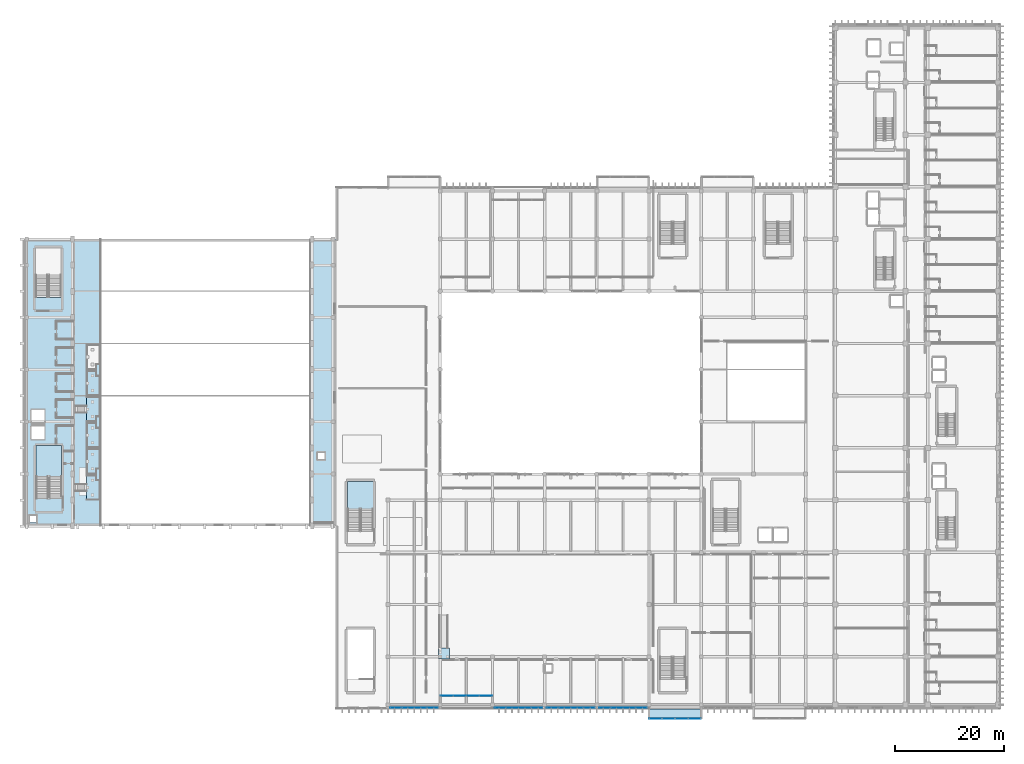
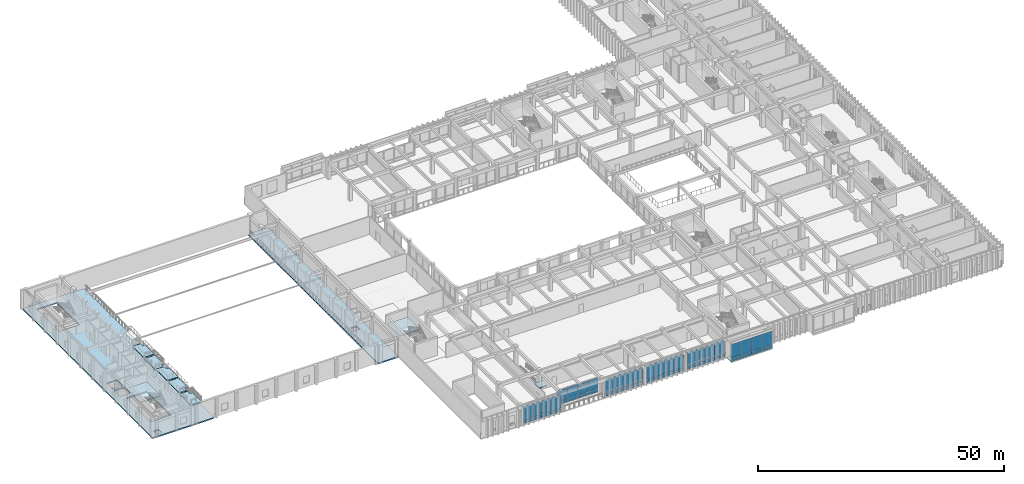
# One storey, part 88 of 133: 48 plates, 11 slabs, 9 elements without a shape of their own.
"""IFC4 building model written with IfcOpenShell, lengths in metres."""

from ifc_helpers import new_model, si_unit, direction, frame, origin, origin_2d, place, context, subcontext, project, spatial, polyline, rectangle, outline, extrude, material, layer, layer_set, type_object, element, aggregate, save


model = new_model("IFC4")

# Units and contexts
model_context = context("Model", 3, precision=1e-05, world=origin(), true_north=direction((0.0, 1.0)))
body_context = subcontext(model_context, "Body", "Model", "MODEL_VIEW")
ifc_project = project(units=[si_unit("LENGTHUNIT", "METRE"), si_unit("AREAUNIT", "SQUARE_METRE"), si_unit("VOLUMEUNIT", "CUBIC_METRE"), si_unit("PLANEANGLEUNIT", "RADIAN"), si_unit("MASSUNIT", "GRAM", prefix="KILO")], contexts=[model_context])

# Site, building, storey
site_placement = place(None, origin())
site = spatial("IfcSite", under=ifc_project, at=site_placement, CompositionType="ELEMENT")
building_placement = place(site_placement, origin())
building = spatial("IfcBuilding", under=site, at=building_placement, Name="Nakhvara Creek Congress Hotel", CompositionType="ELEMENT")
storey_placement = place(building_placement, frame((0.0, 0.0, 11.39990234375)))
storey = spatial("IfcBuildingStorey", under=building, at=storey_placement, Name="L02", CompositionType="ELEMENT", Elevation=11.39990234375)

# Curtain wall, plates
ifc_material_1 = material(Name="Bronze-anodised aluminium AW-6063-T6 and double-silver low-E glass", Category="aluminium")
ifc_layer_1 = layer(ifc_material_1, 0.219970703125)
ifc_layer_set_1 = layer_set([ifc_layer_1], Name="Bronze-anodised aluminium AW-6063-T6 and double-silver low-E glass")
curtain_wall_type_1 = type_object("IfcCurtainWallType", Name="CW-BOX-PROJ", PredefinedType="USERDEFINED", material=ifc_layer_set_1)
curtain_wall_1_placement = place(storey_placement, origin())
curtain_wall_1 = element("IfcCurtainWall", 1, at=curtain_wall_1_placement, inside=storey, type_object=curtain_wall_type_1, Name="Curtain Wall CW089", ObjectType="UNITISED", PredefinedType="USERDEFINED")
ifc_material_2 = material(Name="Double-silver solar-control low-E insulated glass", Category="glass")
plate_type = type_object("IfcPlateType", Name="PNL-GLZ-240X260", PredefinedType="CURTAIN_PANEL", material=ifc_material_2)
plate_1_placement = place(storey_placement, frame((123.580078125, -1.800048828125, 0.0751953125), z_axis=(0.0, 0.0, 1.0), x_axis=(-1.0, 0.0, 0.0)))
plate_1 = element("IfcPlate", 2, at=plate_1_placement, type_object=plate_type, Name="CW089 panel 1.1", PredefinedType="CURTAIN_PANEL", context=body_context, shape_type="SweptSolid", body=[
    extrude(rectangle(XDim=2.280029296875, YDim=0.030029296875, at=origin_2d()), origin(), (0.0, 0.0, 1.0), 0.737548828125),
])
plate_2_placement = place(storey_placement, frame((123.580078125, -1.800048828125, 0.8876953125), z_axis=(0.0, 0.0, 1.0), x_axis=(-1.0, 0.0, 0.0)))
plate_2 = element("IfcPlate", 3, at=plate_2_placement, type_object=plate_type, Name="CW089 panel 1.2", PredefinedType="CURTAIN_PANEL", context=body_context, shape_type="SweptSolid", body=[
    extrude(rectangle(XDim=2.280029296875, YDim=0.030029296875, at=origin_2d()), origin(), (0.0, 0.0, 1.0), 3.427490234375),
])
plate_3_placement = place(storey_placement, frame((121.199951171875, -1.800048828125, 0.0751953125), z_axis=(0.0, 0.0, 1.0), x_axis=(-1.0, 0.0, 0.0)))
plate_3 = element("IfcPlate", 4, at=plate_3_placement, type_object=plate_type, Name="CW089 panel 2.1", PredefinedType="CURTAIN_PANEL", context=body_context, shape_type="SweptSolid", body=[
    extrude(rectangle(XDim=2.320068359375, YDim=0.030029296875, at=origin_2d()), origin(), (0.0, 0.0, 1.0), 0.737548828125),
])
plate_4_placement = place(storey_placement, frame((121.199951171875, -1.800048828125, 0.8876953125), z_axis=(0.0, 0.0, 1.0), x_axis=(-1.0, 0.0, 0.0)))
plate_4 = element("IfcPlate", 5, at=plate_4_placement, type_object=plate_type, Name="CW089 panel 2.2", PredefinedType="CURTAIN_PANEL", context=body_context, shape_type="SweptSolid", body=[
    extrude(rectangle(XDim=2.320068359375, YDim=0.030029296875, at=origin_2d()), origin(), (0.0, 0.0, 1.0), 3.427490234375),
])
plate_5_placement = place(storey_placement, frame((118.800048828125, -1.800048828125, 0.0751953125), z_axis=(0.0, 0.0, 1.0), x_axis=(-1.0, 0.0, 0.0)))
plate_5 = element("IfcPlate", 6, at=plate_5_placement, type_object=plate_type, Name="CW089 panel 3.1", PredefinedType="CURTAIN_PANEL", context=body_context, shape_type="SweptSolid", body=[
    extrude(rectangle(XDim=2.320068359375, YDim=0.030029296875, at=origin_2d()), origin(), (0.0, 0.0, 1.0), 0.737548828125),
])
plate_6_placement = place(storey_placement, frame((118.800048828125, -1.800048828125, 0.8876953125), z_axis=(0.0, 0.0, 1.0), x_axis=(-1.0, 0.0, 0.0)))
plate_6 = element("IfcPlate", 7, at=plate_6_placement, type_object=plate_type, Name="CW089 panel 3.2", PredefinedType="CURTAIN_PANEL", context=body_context, shape_type="SweptSolid", body=[
    extrude(rectangle(XDim=2.320068359375, YDim=0.030029296875, at=origin_2d()), origin(), (0.0, 0.0, 1.0), 3.427490234375),
])
plate_7_placement = place(storey_placement, frame((116.419921875, -1.800048828125, 0.0751953125), z_axis=(0.0, 0.0, 1.0), x_axis=(-1.0, 0.0, 0.0)))
plate_7 = element("IfcPlate", 8, at=plate_7_placement, type_object=plate_type, Name="CW089 panel 4.1", PredefinedType="CURTAIN_PANEL", context=body_context, shape_type="SweptSolid", body=[
    extrude(rectangle(XDim=2.280029296875, YDim=0.030029296875, at=origin_2d()), origin(), (0.0, 0.0, 1.0), 0.737548828125),
])
plate_8_placement = place(storey_placement, frame((116.419921875, -1.800048828125, 0.8876953125), z_axis=(0.0, 0.0, 1.0), x_axis=(-1.0, 0.0, 0.0)))
plate_8 = element("IfcPlate", 9, at=plate_8_placement, type_object=plate_type, Name="CW089 panel 4.2", PredefinedType="CURTAIN_PANEL", context=body_context, shape_type="SweptSolid", body=[
    extrude(rectangle(XDim=2.280029296875, YDim=0.030029296875, at=origin_2d()), origin(), (0.0, 0.0, 1.0), 3.427490234375),
])
aggregate(curtain_wall_1, [plate_1, plate_2, plate_3, plate_4, plate_5, plate_6, plate_7, plate_8])

ifc_layer_2 = layer(ifc_material_1, 0.219970703125)
ifc_layer_set_2 = layer_set([ifc_layer_2], Name="Bronze-anodised aluminium AW-6063-T6 and double-silver low-E glass")
curtain_wall_type_2 = type_object("IfcCurtainWallType", Name="CW-BOX-REC", PredefinedType="USERDEFINED", material=ifc_layer_set_2)
curtain_wall_2_placement = place(storey_placement, origin())
curtain_wall_2 = element("IfcCurtainWall", 10, at=curtain_wall_2_placement, inside=storey, type_object=curtain_wall_type_2, Name="Curtain Wall CW091", ObjectType="UNITISED", PredefinedType="USERDEFINED")
plate_9_placement = place(storey_placement, frame((85.18115234375, 2.39990234375, 0.0751953125), z_axis=(0.0, 0.0, 1.0), x_axis=(-1.0, 0.0, 0.0)))
plate_9 = element("IfcPlate", 11, at=plate_9_placement, type_object=plate_type, Name="CW091 panel 1.1", PredefinedType="CURTAIN_PANEL", context=body_context, shape_type="SweptSolid", body=[
    extrude(rectangle(XDim=2.28759765625, YDim=0.030029296875, at=origin_2d()), origin(), (0.0, 0.0, 1.0), 0.737548828125),
])
plate_10_placement = place(storey_placement, frame((85.18115234375, 2.39990234375, 0.8876953125), z_axis=(0.0, 0.0, 1.0), x_axis=(-1.0, 0.0, 0.0)))
plate_10 = element("IfcPlate", 12, at=plate_10_placement, type_object=plate_type, Name="CW091 panel 1.2", PredefinedType="CURTAIN_PANEL", context=body_context, shape_type="SweptSolid", body=[
    extrude(rectangle(XDim=2.28759765625, YDim=0.030029296875, at=origin_2d()), origin(), (0.0, 0.0, 1.0), 2.7294921875),
])
plate_11_placement = place(storey_placement, frame((82.800048828125, 2.39990234375, 0.0751953125), z_axis=(0.0, 0.0, 1.0), x_axis=(-1.0, 0.0, 0.0)))
plate_11 = element("IfcPlate", 13, at=plate_11_placement, type_object=plate_type, Name="CW091 panel 2.1", PredefinedType="CURTAIN_PANEL", context=body_context, shape_type="SweptSolid", body=[
    extrude(rectangle(XDim=2.324951171875, YDim=0.030029296875, at=origin_2d()), origin(), (0.0, 0.0, 1.0), 0.737548828125),
])
plate_12_placement = place(storey_placement, frame((82.800048828125, 2.39990234375, 0.8876953125), z_axis=(0.0, 0.0, 1.0), x_axis=(-1.0, 0.0, 0.0)))
plate_12 = element("IfcPlate", 14, at=plate_12_placement, type_object=plate_type, Name="CW091 panel 2.2", PredefinedType="CURTAIN_PANEL", context=body_context, shape_type="SweptSolid", body=[
    extrude(rectangle(XDim=2.324951171875, YDim=0.030029296875, at=origin_2d()), origin(), (0.0, 0.0, 1.0), 2.7294921875),
])
plate_13_placement = place(storey_placement, frame((80.39990234375, 2.39990234375, 0.0751953125), z_axis=(0.0, 0.0, 1.0), x_axis=(-1.0, 0.0, 0.0)))
plate_13 = element("IfcPlate", 15, at=plate_13_placement, type_object=plate_type, Name="CW091 panel 3.1", PredefinedType="CURTAIN_PANEL", context=body_context, shape_type="SweptSolid", body=[
    extrude(rectangle(XDim=2.324951171875, YDim=0.030029296875, at=origin_2d()), origin(), (0.0, 0.0, 1.0), 0.737548828125),
])
plate_14_placement = place(storey_placement, frame((80.39990234375, 2.39990234375, 0.8876953125), z_axis=(0.0, 0.0, 1.0), x_axis=(-1.0, 0.0, 0.0)))
plate_14 = element("IfcPlate", 16, at=plate_14_placement, type_object=plate_type, Name="CW091 panel 3.2", PredefinedType="CURTAIN_PANEL", context=body_context, shape_type="SweptSolid", body=[
    extrude(rectangle(XDim=2.324951171875, YDim=0.030029296875, at=origin_2d()), origin(), (0.0, 0.0, 1.0), 2.7294921875),
])
plate_15_placement = place(storey_placement, frame((78.018798828125, 2.39990234375, 0.0751953125), z_axis=(0.0, 0.0, 1.0), x_axis=(-1.0, 0.0, 0.0)))
plate_15 = element("IfcPlate", 17, at=plate_15_placement, type_object=plate_type, Name="CW091 panel 4.1", PredefinedType="CURTAIN_PANEL", context=body_context, shape_type="SweptSolid", body=[
    extrude(rectangle(XDim=2.28759765625, YDim=0.030029296875, at=origin_2d()), origin(), (0.0, 0.0, 1.0), 0.737548828125),
])
plate_16_placement = place(storey_placement, frame((78.018798828125, 2.39990234375, 0.8876953125), z_axis=(0.0, 0.0, 1.0), x_axis=(-1.0, 0.0, 0.0)))
plate_16 = element("IfcPlate", 18, at=plate_16_placement, type_object=plate_type, Name="CW091 panel 4.2", PredefinedType="CURTAIN_PANEL", context=body_context, shape_type="SweptSolid", body=[
    extrude(rectangle(XDim=2.28759765625, YDim=0.030029296875, at=origin_2d()), origin(), (0.0, 0.0, 1.0), 2.7294921875),
])
aggregate(curtain_wall_2, [plate_9, plate_10, plate_11, plate_12, plate_13, plate_14, plate_15, plate_16])

ifc_layer_3 = layer(ifc_material_1, 0.199951171875)
ifc_layer_set_3 = layer_set([ifc_layer_3], Name="Bronze-anodised aluminium AW-6063-T6 and double-silver low-E glass")
curtain_wall_type_3 = type_object("IfcCurtainWallType", Name="CW-SPA-STICK", PredefinedType="NOTDEFINED", material=ifc_layer_set_3)
curtain_wall_3_placement = place(storey_placement, origin())
curtain_wall_3 = element("IfcCurtainWall", 19, at=curtain_wall_3_placement, inside=storey, type_object=curtain_wall_type_3, Name="Curtain Wall CW092", PredefinedType="NOTDEFINED")
plate_17_placement = place(storey_placement, frame((75.31005859375, 0.199951171875, 0.065185546875), z_axis=(0.0, 0.0, 1.0), x_axis=(-1.0, 0.0, 0.0)))
plate_17 = element("IfcPlate", 20, at=plate_17_placement, type_object=plate_type, Name="CW092 panel 1.1", PredefinedType="CURTAIN_PANEL", context=body_context, shape_type="SweptSolid", body=[
    extrude(rectangle(XDim=2.1201171875, YDim=0.030029296875, at=origin_2d()), origin(), (0.0, 0.0, 1.0), 0.75244140625),
])
plate_18_placement = place(storey_placement, frame((75.31005859375, 0.199951171875, 0.882568359375), z_axis=(0.0, 0.0, 1.0), x_axis=(-1.0, 0.0, 0.0)))
plate_18 = element("IfcPlate", 21, at=plate_18_placement, type_object=plate_type, Name="CW092 panel 1.2", PredefinedType="CURTAIN_PANEL", context=body_context, shape_type="SweptSolid", body=[
    extrude(rectangle(XDim=2.1201171875, YDim=0.030029296875, at=origin_2d()), origin(), (0.0, 0.0, 1.0), 3.4423828125),
])
plate_19_placement = place(storey_placement, frame((73.108642578125, 0.199951171875, 0.065185546875), z_axis=(0.0, 0.0, 1.0), x_axis=(-1.0, 0.0, 0.0)))
plate_19 = element("IfcPlate", 22, at=plate_19_placement, type_object=plate_type, Name="CW092 panel 2.1", PredefinedType="CURTAIN_PANEL", context=body_context, shape_type="SweptSolid", body=[
    extrude(rectangle(XDim=2.152587890625, YDim=0.030029296875, at=origin_2d()), origin(), (0.0, 0.0, 1.0), 0.75244140625),
])
plate_20_placement = place(storey_placement, frame((73.108642578125, 0.199951171875, 0.882568359375), z_axis=(0.0, 0.0, 1.0), x_axis=(-1.0, 0.0, 0.0)))
plate_20 = element("IfcPlate", 23, at=plate_20_placement, type_object=plate_type, Name="CW092 panel 2.2", PredefinedType="CURTAIN_PANEL", context=body_context, shape_type="SweptSolid", body=[
    extrude(rectangle(XDim=2.152587890625, YDim=0.030029296875, at=origin_2d()), origin(), (0.0, 0.0, 1.0), 3.4423828125),
])
plate_21_placement = place(storey_placement, frame((70.891357421875, 0.199951171875, 0.065185546875), z_axis=(0.0, 0.0, 1.0), x_axis=(-1.0, 0.0, 0.0)))
plate_21 = element("IfcPlate", 24, at=plate_21_placement, type_object=plate_type, Name="CW092 panel 3.1", PredefinedType="CURTAIN_PANEL", context=body_context, shape_type="SweptSolid", body=[
    extrude(rectangle(XDim=2.152587890625, YDim=0.030029296875, at=origin_2d()), origin(), (0.0, 0.0, 1.0), 0.75244140625),
])
plate_22_placement = place(storey_placement, frame((70.891357421875, 0.199951171875, 0.882568359375), z_axis=(0.0, 0.0, 1.0), x_axis=(-1.0, 0.0, 0.0)))
plate_22 = element("IfcPlate", 25, at=plate_22_placement, type_object=plate_type, Name="CW092 panel 3.2", PredefinedType="CURTAIN_PANEL", context=body_context, shape_type="SweptSolid", body=[
    extrude(rectangle(XDim=2.152587890625, YDim=0.030029296875, at=origin_2d()), origin(), (0.0, 0.0, 1.0), 3.4423828125),
])
plate_23_placement = place(storey_placement, frame((68.68994140625, 0.199951171875, 0.065185546875), z_axis=(0.0, 0.0, 1.0), x_axis=(-1.0, 0.0, 0.0)))
plate_23 = element("IfcPlate", 26, at=plate_23_placement, type_object=plate_type, Name="CW092 panel 4.1", PredefinedType="CURTAIN_PANEL", context=body_context, shape_type="SweptSolid", body=[
    extrude(rectangle(XDim=2.1201171875, YDim=0.030029296875, at=origin_2d()), origin(), (0.0, 0.0, 1.0), 0.75244140625),
])
plate_24_placement = place(storey_placement, frame((68.68994140625, 0.199951171875, 0.882568359375), z_axis=(0.0, 0.0, 1.0), x_axis=(-1.0, 0.0, 0.0)))
plate_24 = element("IfcPlate", 27, at=plate_24_placement, type_object=plate_type, Name="CW092 panel 4.2", PredefinedType="CURTAIN_PANEL", context=body_context, shape_type="SweptSolid", body=[
    extrude(rectangle(XDim=2.1201171875, YDim=0.030029296875, at=origin_2d()), origin(), (0.0, 0.0, 1.0), 3.4423828125),
])
aggregate(curtain_wall_3, [plate_17, plate_18, plate_19, plate_20, plate_21, plate_22, plate_23, plate_24])

curtain_wall_4_placement = place(storey_placement, origin())
curtain_wall_4 = element("IfcCurtainWall", 28, at=curtain_wall_4_placement, inside=storey, type_object=curtain_wall_type_3, Name="Curtain Wall CW093", PredefinedType="NOTDEFINED")
plate_25_placement = place(storey_placement, frame((94.510009765625, 0.199951171875, 0.065185546875), z_axis=(0.0, 0.0, 1.0), x_axis=(-1.0, 0.0, 0.0)))
plate_25 = element("IfcPlate", 29, at=plate_25_placement, type_object=plate_type, Name="CW093 panel 1.1", PredefinedType="CURTAIN_PANEL", context=body_context, shape_type="SweptSolid", body=[
    extrude(rectangle(XDim=2.1201171875, YDim=0.030029296875, at=origin_2d()), origin(), (0.0, 0.0, 1.0), 0.75244140625),
])
plate_26_placement = place(storey_placement, frame((94.510009765625, 0.199951171875, 0.882568359375), z_axis=(0.0, 0.0, 1.0), x_axis=(-1.0, 0.0, 0.0)))
plate_26 = element("IfcPlate", 30, at=plate_26_placement, type_object=plate_type, Name="CW093 panel 1.2", PredefinedType="CURTAIN_PANEL", context=body_context, shape_type="SweptSolid", body=[
    extrude(rectangle(XDim=2.1201171875, YDim=0.030029296875, at=origin_2d()), origin(), (0.0, 0.0, 1.0), 3.4423828125),
])
plate_27_placement = place(storey_placement, frame((92.308837890625, 0.199951171875, 0.065185546875), z_axis=(0.0, 0.0, 1.0), x_axis=(-1.0, 0.0, 0.0)))
plate_27 = element("IfcPlate", 31, at=plate_27_placement, type_object=plate_type, Name="CW093 panel 2.1", PredefinedType="CURTAIN_PANEL", context=body_context, shape_type="SweptSolid", body=[
    extrude(rectangle(XDim=2.152587890625, YDim=0.030029296875, at=origin_2d()), origin(), (0.0, 0.0, 1.0), 0.75244140625),
])
plate_28_placement = place(storey_placement, frame((92.308837890625, 0.199951171875, 0.882568359375), z_axis=(0.0, 0.0, 1.0), x_axis=(-1.0, 0.0, 0.0)))
plate_28 = element("IfcPlate", 32, at=plate_28_placement, type_object=plate_type, Name="CW093 panel 2.2", PredefinedType="CURTAIN_PANEL", context=body_context, shape_type="SweptSolid", body=[
    extrude(rectangle(XDim=2.152587890625, YDim=0.030029296875, at=origin_2d()), origin(), (0.0, 0.0, 1.0), 3.4423828125),
])
plate_29_placement = place(storey_placement, frame((90.09130859375, 0.199951171875, 0.065185546875), z_axis=(0.0, 0.0, 1.0), x_axis=(-1.0, 0.0, 0.0)))
plate_29 = element("IfcPlate", 33, at=plate_29_placement, type_object=plate_type, Name="CW093 panel 3.1", PredefinedType="CURTAIN_PANEL", context=body_context, shape_type="SweptSolid", body=[
    extrude(rectangle(XDim=2.152587890625, YDim=0.030029296875, at=origin_2d()), origin(), (0.0, 0.0, 1.0), 0.75244140625),
])
plate_30_placement = place(storey_placement, frame((90.09130859375, 0.199951171875, 0.882568359375), z_axis=(0.0, 0.0, 1.0), x_axis=(-1.0, 0.0, 0.0)))
plate_30 = element("IfcPlate", 34, at=plate_30_placement, type_object=plate_type, Name="CW093 panel 3.2", PredefinedType="CURTAIN_PANEL", context=body_context, shape_type="SweptSolid", body=[
    extrude(rectangle(XDim=2.152587890625, YDim=0.030029296875, at=origin_2d()), origin(), (0.0, 0.0, 1.0), 3.4423828125),
])
plate_31_placement = place(storey_placement, frame((87.889892578125, 0.199951171875, 0.065185546875), z_axis=(0.0, 0.0, 1.0), x_axis=(-1.0, 0.0, 0.0)))
plate_31 = element("IfcPlate", 35, at=plate_31_placement, type_object=plate_type, Name="CW093 panel 4.1", PredefinedType="CURTAIN_PANEL", context=body_context, shape_type="SweptSolid", body=[
    extrude(rectangle(XDim=2.1201171875, YDim=0.030029296875, at=origin_2d()), origin(), (0.0, 0.0, 1.0), 0.75244140625),
])
plate_32_placement = place(storey_placement, frame((87.889892578125, 0.199951171875, 0.882568359375), z_axis=(0.0, 0.0, 1.0), x_axis=(-1.0, 0.0, 0.0)))
plate_32 = element("IfcPlate", 36, at=plate_32_placement, type_object=plate_type, Name="CW093 panel 4.2", PredefinedType="CURTAIN_PANEL", context=body_context, shape_type="SweptSolid", body=[
    extrude(rectangle(XDim=2.1201171875, YDim=0.030029296875, at=origin_2d()), origin(), (0.0, 0.0, 1.0), 3.4423828125),
])
aggregate(curtain_wall_4, [plate_25, plate_26, plate_27, plate_28, plate_29, plate_30, plate_31, plate_32])

curtain_wall_5_placement = place(storey_placement, origin())
curtain_wall_5 = element("IfcCurtainWall", 37, at=curtain_wall_5_placement, inside=storey, type_object=curtain_wall_type_3, Name="Curtain Wall CW094", PredefinedType="NOTDEFINED")
plate_33_placement = place(storey_placement, frame((104.110107421875, 0.199951171875, 0.065185546875), z_axis=(0.0, 0.0, 1.0), x_axis=(-1.0, 0.0, 0.0)))
plate_33 = element("IfcPlate", 38, at=plate_33_placement, type_object=plate_type, Name="CW094 panel 1.1", PredefinedType="CURTAIN_PANEL", context=body_context, shape_type="SweptSolid", body=[
    extrude(rectangle(XDim=2.1201171875, YDim=0.030029296875, at=origin_2d()), origin(), (0.0, 0.0, 1.0), 0.75244140625),
])
plate_34_placement = place(storey_placement, frame((104.110107421875, 0.199951171875, 0.882568359375), z_axis=(0.0, 0.0, 1.0), x_axis=(-1.0, 0.0, 0.0)))
plate_34 = element("IfcPlate", 39, at=plate_34_placement, type_object=plate_type, Name="CW094 panel 1.2", PredefinedType="CURTAIN_PANEL", context=body_context, shape_type="SweptSolid", body=[
    extrude(rectangle(XDim=2.1201171875, YDim=0.030029296875, at=origin_2d()), origin(), (0.0, 0.0, 1.0), 3.4423828125),
])
plate_35_placement = place(storey_placement, frame((101.90869140625, 0.199951171875, 0.065185546875), z_axis=(0.0, 0.0, 1.0), x_axis=(-1.0, 0.0, 0.0)))
plate_35 = element("IfcPlate", 40, at=plate_35_placement, type_object=plate_type, Name="CW094 panel 2.1", PredefinedType="CURTAIN_PANEL", context=body_context, shape_type="SweptSolid", body=[
    extrude(rectangle(XDim=2.152587890625, YDim=0.030029296875, at=origin_2d()), origin(), (0.0, 0.0, 1.0), 0.75244140625),
])
plate_36_placement = place(storey_placement, frame((101.90869140625, 0.199951171875, 0.882568359375), z_axis=(0.0, 0.0, 1.0), x_axis=(-1.0, 0.0, 0.0)))
plate_36 = element("IfcPlate", 41, at=plate_36_placement, type_object=plate_type, Name="CW094 panel 2.2", PredefinedType="CURTAIN_PANEL", context=body_context, shape_type="SweptSolid", body=[
    extrude(rectangle(XDim=2.152587890625, YDim=0.030029296875, at=origin_2d()), origin(), (0.0, 0.0, 1.0), 3.4423828125),
])
plate_37_placement = place(storey_placement, frame((99.691162109375, 0.199951171875, 0.065185546875), z_axis=(0.0, 0.0, 1.0), x_axis=(-1.0, 0.0, 0.0)))
plate_37 = element("IfcPlate", 42, at=plate_37_placement, type_object=plate_type, Name="CW094 panel 3.1", PredefinedType="CURTAIN_PANEL", context=body_context, shape_type="SweptSolid", body=[
    extrude(rectangle(XDim=2.152587890625, YDim=0.030029296875, at=origin_2d()), origin(), (0.0, 0.0, 1.0), 0.75244140625),
])
plate_38_placement = place(storey_placement, frame((99.691162109375, 0.199951171875, 0.882568359375), z_axis=(0.0, 0.0, 1.0), x_axis=(-1.0, 0.0, 0.0)))
plate_38 = element("IfcPlate", 43, at=plate_38_placement, type_object=plate_type, Name="CW094 panel 3.2", PredefinedType="CURTAIN_PANEL", context=body_context, shape_type="SweptSolid", body=[
    extrude(rectangle(XDim=2.152587890625, YDim=0.030029296875, at=origin_2d()), origin(), (0.0, 0.0, 1.0), 3.4423828125),
])
plate_39_placement = place(storey_placement, frame((97.489990234375, 0.199951171875, 0.065185546875), z_axis=(0.0, 0.0, 1.0), x_axis=(-1.0, 0.0, 0.0)))
plate_39 = element("IfcPlate", 44, at=plate_39_placement, type_object=plate_type, Name="CW094 panel 4.1", PredefinedType="CURTAIN_PANEL", context=body_context, shape_type="SweptSolid", body=[
    extrude(rectangle(XDim=2.1201171875, YDim=0.030029296875, at=origin_2d()), origin(), (0.0, 0.0, 1.0), 0.75244140625),
])
plate_40_placement = place(storey_placement, frame((97.489990234375, 0.199951171875, 0.882568359375), z_axis=(0.0, 0.0, 1.0), x_axis=(-1.0, 0.0, 0.0)))
plate_40 = element("IfcPlate", 45, at=plate_40_placement, type_object=plate_type, Name="CW094 panel 4.2", PredefinedType="CURTAIN_PANEL", context=body_context, shape_type="SweptSolid", body=[
    extrude(rectangle(XDim=2.1201171875, YDim=0.030029296875, at=origin_2d()), origin(), (0.0, 0.0, 1.0), 3.4423828125),
])
aggregate(curtain_wall_5, [plate_33, plate_34, plate_35, plate_36, plate_37, plate_38, plate_39, plate_40])

curtain_wall_6_placement = place(storey_placement, origin())
curtain_wall_6 = element("IfcCurtainWall", 46, at=curtain_wall_6_placement, inside=storey, type_object=curtain_wall_type_3, Name="Curtain Wall CW095", PredefinedType="NOTDEFINED")
plate_41_placement = place(storey_placement, frame((113.7099609375, 0.199951171875, 0.065185546875), z_axis=(0.0, 0.0, 1.0), x_axis=(-1.0, 0.0, 0.0)))
plate_41 = element("IfcPlate", 47, at=plate_41_placement, type_object=plate_type, Name="CW095 panel 1.1", PredefinedType="CURTAIN_PANEL", context=body_context, shape_type="SweptSolid", body=[
    extrude(rectangle(XDim=2.1201171875, YDim=0.030029296875, at=origin_2d()), origin(), (0.0, 0.0, 1.0), 0.75244140625),
])
plate_42_placement = place(storey_placement, frame((113.7099609375, 0.199951171875, 0.882568359375), z_axis=(0.0, 0.0, 1.0), x_axis=(-1.0, 0.0, 0.0)))
plate_42 = element("IfcPlate", 48, at=plate_42_placement, type_object=plate_type, Name="CW095 panel 1.2", PredefinedType="CURTAIN_PANEL", context=body_context, shape_type="SweptSolid", body=[
    extrude(rectangle(XDim=2.1201171875, YDim=0.030029296875, at=origin_2d()), origin(), (0.0, 0.0, 1.0), 3.4423828125),
])
plate_43_placement = place(storey_placement, frame((111.5087890625, 0.199951171875, 0.065185546875), z_axis=(0.0, 0.0, 1.0), x_axis=(-1.0, 0.0, 0.0)))
plate_43 = element("IfcPlate", 49, at=plate_43_placement, type_object=plate_type, Name="CW095 panel 2.1", PredefinedType="CURTAIN_PANEL", context=body_context, shape_type="SweptSolid", body=[
    extrude(rectangle(XDim=2.152587890625, YDim=0.030029296875, at=origin_2d()), origin(), (0.0, 0.0, 1.0), 0.75244140625),
])
plate_44_placement = place(storey_placement, frame((111.5087890625, 0.199951171875, 0.882568359375), z_axis=(0.0, 0.0, 1.0), x_axis=(-1.0, 0.0, 0.0)))
plate_44 = element("IfcPlate", 50, at=plate_44_placement, type_object=plate_type, Name="CW095 panel 2.2", PredefinedType="CURTAIN_PANEL", context=body_context, shape_type="SweptSolid", body=[
    extrude(rectangle(XDim=2.152587890625, YDim=0.030029296875, at=origin_2d()), origin(), (0.0, 0.0, 1.0), 3.4423828125),
])
plate_45_placement = place(storey_placement, frame((109.291259765625, 0.199951171875, 0.065185546875), z_axis=(0.0, 0.0, 1.0), x_axis=(-1.0, 0.0, 0.0)))
plate_45 = element("IfcPlate", 51, at=plate_45_placement, type_object=plate_type, Name="CW095 panel 3.1", PredefinedType="CURTAIN_PANEL", context=body_context, shape_type="SweptSolid", body=[
    extrude(rectangle(XDim=2.152587890625, YDim=0.030029296875, at=origin_2d()), origin(), (0.0, 0.0, 1.0), 0.75244140625),
])
plate_46_placement = place(storey_placement, frame((109.291259765625, 0.199951171875, 0.882568359375), z_axis=(0.0, 0.0, 1.0), x_axis=(-1.0, 0.0, 0.0)))
plate_46 = element("IfcPlate", 52, at=plate_46_placement, type_object=plate_type, Name="CW095 panel 3.2", PredefinedType="CURTAIN_PANEL", context=body_context, shape_type="SweptSolid", body=[
    extrude(rectangle(XDim=2.152587890625, YDim=0.030029296875, at=origin_2d()), origin(), (0.0, 0.0, 1.0), 3.4423828125),
])
plate_47_placement = place(storey_placement, frame((107.090087890625, 0.199951171875, 0.065185546875), z_axis=(0.0, 0.0, 1.0), x_axis=(-1.0, 0.0, 0.0)))
plate_47 = element("IfcPlate", 53, at=plate_47_placement, type_object=plate_type, Name="CW095 panel 4.1", PredefinedType="CURTAIN_PANEL", context=body_context, shape_type="SweptSolid", body=[
    extrude(rectangle(XDim=2.1201171875, YDim=0.030029296875, at=origin_2d()), origin(), (0.0, 0.0, 1.0), 0.75244140625),
])
plate_48_placement = place(storey_placement, frame((107.090087890625, 0.199951171875, 0.882568359375), z_axis=(0.0, 0.0, 1.0), x_axis=(-1.0, 0.0, 0.0)))
plate_48 = element("IfcPlate", 54, at=plate_48_placement, type_object=plate_type, Name="CW095 panel 4.2", PredefinedType="CURTAIN_PANEL", context=body_context, shape_type="SweptSolid", body=[
    extrude(rectangle(XDim=2.1201171875, YDim=0.030029296875, at=origin_2d()), origin(), (0.0, 0.0, 1.0), 3.4423828125),
])
aggregate(curtain_wall_6, [plate_41, plate_42, plate_43, plate_44, plate_45, plate_46, plate_47, plate_48])

# Slabs
ifc_material_3 = material(Name="Concrete C40/50", Category="concrete")
ifc_layer_4 = layer(ifc_material_3, 0.219970703125)
ifc_layer_set_4 = layer_set([ifc_layer_4], Name="Concrete C40/50")
slab_type_1 = type_object("IfcSlabType", Name="SL-FLR-220", PredefinedType="FLOOR", material=ifc_layer_set_4)
slab_1_placement = place(storey_placement, frame((0.0, 0.0, -0.219970703125)))
element("IfcSlab", 55, at=slab_1_placement, inside=storey, type_object=slab_type_1, Name="Structural Slab SLB-PBOX-L02-S1", PredefinedType="FLOOR", context=body_context, shape_type="SweptSolid", body=[
    extrude(outline(polyline([(115.199951171875, -1.800048828125), (124.800048828125, -1.800048828125), (124.800048828125, 0.0), (115.199951171875, 0.0), (115.199951171875, -1.800048828125)])), origin(), (0.0, 0.0, 1.0), 0.219970703125),
])
ifc_layer_5 = layer(ifc_material_3, 0.300048828125)
ifc_layer_set_5 = layer_set([ifc_layer_5], Name="Concrete C40/50")
slab_type_2 = type_object("IfcSlabType", Name="SL-FLR-300", PredefinedType="FLOOR", material=ifc_layer_set_5)
slab_2_placement = place(storey_placement, frame((0.0, 0.0, -0.2998046875)))
element("IfcSlab", 56, at=slab_2_placement, inside=storey, type_object=slab_type_2, Name="Structural Slab SLB-L02-V1W", PredefinedType="FLOOR", context=body_context, shape_type="SweptSolid", body=[
    extrude(outline(polyline([(0.0, 86.39990234375), (14.39990234375, 86.39990234375), (14.39990234375, 33.60009765625), (0.0, 33.60009765625), (0.0, 86.39990234375)]), holes=[polyline([(2.550048828125, 35.550048828125), (1.25, 35.550048828125), (1.25, 34.25), (2.550048828125, 34.25), (2.550048828125, 35.550048828125)]), polyline([(2.449951171875, 48.39990234375), (2.449951171875, 38.679931640625), (7.159912109375, 38.679931640625), (7.159912109375, 48.39990234375), (2.449951171875, 48.39990234375)]), polyline([(4.0, 52.0), (1.60009765625, 52.0), (1.60009765625, 49.60009765625), (4.0, 49.60009765625), (4.0, 52.0)]), polyline([(4.0, 52.60009765625), (4.0, 55.0), (1.60009765625, 55.0), (1.60009765625, 52.60009765625), (4.0, 52.60009765625)]), polyline([(7.080078125, 84.800048828125), (2.3701171875, 84.800048828125), (2.3701171875, 75.679931640625), (7.080078125, 75.679931640625), (7.080078125, 84.800048828125)])]), origin(), (0.0, 0.0, 1.0), 0.2998046875),
])
slab_3_placement = place(storey_placement, frame((0.0, 0.0, -0.2998046875)))
element("IfcSlab", 57, at=slab_3_placement, inside=storey, type_object=slab_type_2, Name="Structural Slab SLB-L02-V1E", PredefinedType="FLOOR", context=body_context, shape_type="SweptSolid", body=[
    extrude(outline(polyline([(52.800048828125, 86.39990234375), (57.60009765625, 86.39990234375), (57.60009765625, 33.60009765625), (52.800048828125, 33.60009765625), (52.800048828125, 86.39990234375)]), holes=[polyline([(54.25, 45.85009765625), (55.550048828125, 45.85009765625), (55.550048828125, 47.14990234375), (54.25, 47.14990234375), (54.25, 45.85009765625)])]), origin(), (0.0, 0.0, 1.0), 0.2998046875),
])

# Stair, slab
stair_type = type_object("IfcStairType", Name="ST-CORE-230", PredefinedType="HALF_TURN_STAIR", material=ifc_material_3)
stair_1_placement = place(storey_placement, origin())
stair_1 = element("IfcStair", 58, at=stair_1_placement, inside=storey, type_object=stair_type, Name="L02 Protected Exit Stair ST05", PredefinedType="HALF_TURN_STAIR")
ifc_layer_6 = layer(ifc_material_3, 0.199951171875)
ifc_layer_set_6 = layer_set([ifc_layer_6], Name="Concrete C40/50")
slab_type_3 = type_object("IfcSlabType", Name="SL-LAND-200", PredefinedType="LANDING", material=ifc_layer_set_6)
slab_4_placement = place(storey_placement, frame((0.0, 0.0, 2.2001953125)))
slab_4 = element("IfcSlab", 59, at=slab_4_placement, type_object=slab_type_3, Name="ST05 landing 1", PredefinedType="LANDING", context=body_context, shape_type="SweptSolid", body=[
    extrude(outline(polyline([(7.159912109375, 42.77490234375), (7.159912109375, 48.39990234375), (2.449951171875, 48.39990234375), (2.449951171875, 42.77490234375), (7.159912109375, 42.77490234375)])), origin(), (0.0, 0.0, 1.0), 0.199951171875),
])
aggregate(stair_1, [slab_4])

stair_2_placement = place(storey_placement, origin())
stair_2 = element("IfcStair", 60, at=stair_2_placement, inside=storey, type_object=stair_type, Name="L02 Protected Exit Stair ST13", PredefinedType="HALF_TURN_STAIR")
slab_5_placement = place(storey_placement, frame((0.0, 0.0, 2.2001953125)))
slab_5 = element("IfcSlab", 61, at=slab_5_placement, type_object=slab_type_3, Name="ST13 landing 1", PredefinedType="LANDING", context=body_context, shape_type="SweptSolid", body=[
    extrude(outline(polyline([(64.47998046875, 36.77490234375), (64.47998046875, 41.800048828125), (59.77001953125, 41.800048828125), (59.77001953125, 36.77490234375), (64.47998046875, 36.77490234375)])), origin(), (0.0, 0.0, 1.0), 0.199951171875),
])
aggregate(stair_2, [slab_5])

# Ramp, slab
ramp_type = type_object("IfcRampType", Name="RMP-PED-180", PredefinedType="STRAIGHT_RUN_RAMP", material=ifc_material_3)
ramp_placement = place(storey_placement, origin())
ramp = element("IfcRamp", 62, at=ramp_placement, inside=storey, type_object=ramp_type, Name="Accessible Pedestrian Ramp PR04", PredefinedType="STRAIGHT_RUN_RAMP")
ifc_layer_7 = layer(ifc_material_3, 0.2099609375)
ifc_layer_set_7 = layer_set([ifc_layer_7], Name="Concrete C40/50")
slab_type_4 = type_object("IfcSlabType", Name="SL-LAND-210", PredefinedType="LANDING", material=ifc_layer_set_7)
slab_6_placement = place(storey_placement, frame((0.0, 0.0, 0.130126953125)))
slab_6 = element("IfcSlab", 63, at=slab_6_placement, type_object=slab_type_4, Name="Accessible Ramp Landing PR04", PredefinedType="LANDING", context=body_context, shape_type="SweptSolid", body=[
    extrude(outline(polyline([(76.5, 9.199951171875), (78.5, 9.199951171875), (78.5, 11.14990234375), (76.5, 11.14990234375), (76.5, 9.199951171875)])), origin(), (0.0, 0.0, 1.0), 0.219970703125),
])
aggregate(ramp, [slab_6])

# Slabs
ifc_material_4 = material(Name="Precast concrete C40/50", Category="concrete")
ifc_layer_8 = layer(ifc_material_4, 0.175048828125)
ifc_layer_set_8 = layer_set([ifc_layer_8], Name="Precast concrete C40/50")
slab_type_5 = type_object("IfcSlabType", Name="SL-TIER-175", PredefinedType="USERDEFINED", material=ifc_layer_set_8)
slab_7_placement = place(storey_placement, frame((0.0, 0.0, 0.875)))
element("IfcSlab", 64, at=slab_7_placement, inside=storey, type_object=slab_type_5, Name="Stand Upper Circle Bay 1", ObjectType="SEATING TIER", PredefinedType="USERDEFINED", context=body_context, shape_type="SweptSolid", body=[
    extrude(outline(polyline([(11.75, 38.39990234375), (14.239990234375, 38.39990234375), (14.239990234375, 42.10009765625), (13.590087890625, 42.10009765625), (13.590087890625, 43.0), (11.75, 43.0), (11.75, 38.39990234375)])), origin(), (0.0, 0.0, 1.0), 0.175048828125),
])
slab_8_placement = place(storey_placement, frame((0.0, 0.0, 1.025146484375)))
element("IfcSlab", 65, at=slab_8_placement, inside=storey, type_object=slab_type_5, Name="Stand Upper Circle Bay 2", ObjectType="SEATING TIER", PredefinedType="USERDEFINED", context=body_context, shape_type="SweptSolid", body=[
    extrude(outline(polyline([(11.75, 43.199951171875), (13.590087890625, 43.199951171875), (13.590087890625, 44.10009765625), (14.239990234375, 44.10009765625), (14.239990234375, 47.800048828125), (11.75, 47.800048828125), (11.75, 43.199951171875)])), origin(), (0.0, 0.0, 1.0), 0.175048828125),
])
slab_9_placement = place(storey_placement, frame((0.0, 0.0, 1.175048828125)))
element("IfcSlab", 66, at=slab_9_placement, inside=storey, type_object=slab_type_5, Name="Stand Upper Circle Bay 3", ObjectType="SEATING TIER", PredefinedType="USERDEFINED", context=body_context, shape_type="SweptSolid", body=[
    extrude(outline(polyline([(11.75, 48.0), (14.239990234375, 48.0), (14.239990234375, 51.699951171875), (13.590087890625, 51.699951171875), (13.590087890625, 52.60009765625), (11.75, 52.60009765625), (11.75, 48.0)])), origin(), (0.0, 0.0, 1.0), 0.175048828125),
])
slab_10_placement = place(storey_placement, frame((0.0, 0.0, 0.875)))
element("IfcSlab", 67, at=slab_10_placement, inside=storey, type_object=slab_type_5, Name="Stand Upper Circle Bay 4", ObjectType="SEATING TIER", PredefinedType="USERDEFINED", context=body_context, shape_type="SweptSolid", body=[
    extrude(outline(polyline([(11.75, 52.800048828125), (13.590087890625, 52.800048828125), (13.590087890625, 53.699951171875), (14.239990234375, 53.699951171875), (14.239990234375, 57.39990234375), (11.75, 57.39990234375), (11.75, 52.800048828125)])), origin(), (0.0, 0.0, 1.0), 0.175048828125),
])
slab_11_placement = place(storey_placement, frame((0.0, 0.0, 1.025146484375)))
element("IfcSlab", 68, at=slab_11_placement, inside=storey, type_object=slab_type_5, Name="Stand Upper Circle Bay 5", ObjectType="SEATING TIER", PredefinedType="USERDEFINED", context=body_context, shape_type="SweptSolid", body=[
    extrude(outline(polyline([(11.75, 57.60009765625), (14.239990234375, 57.60009765625), (14.239990234375, 61.300048828125), (13.590087890625, 61.300048828125), (13.590087890625, 62.199951171875), (11.75, 62.199951171875), (11.75, 57.60009765625)])), origin(), (0.0, 0.0, 1.0), 0.175048828125),
])

save(model, "model.ifc")
